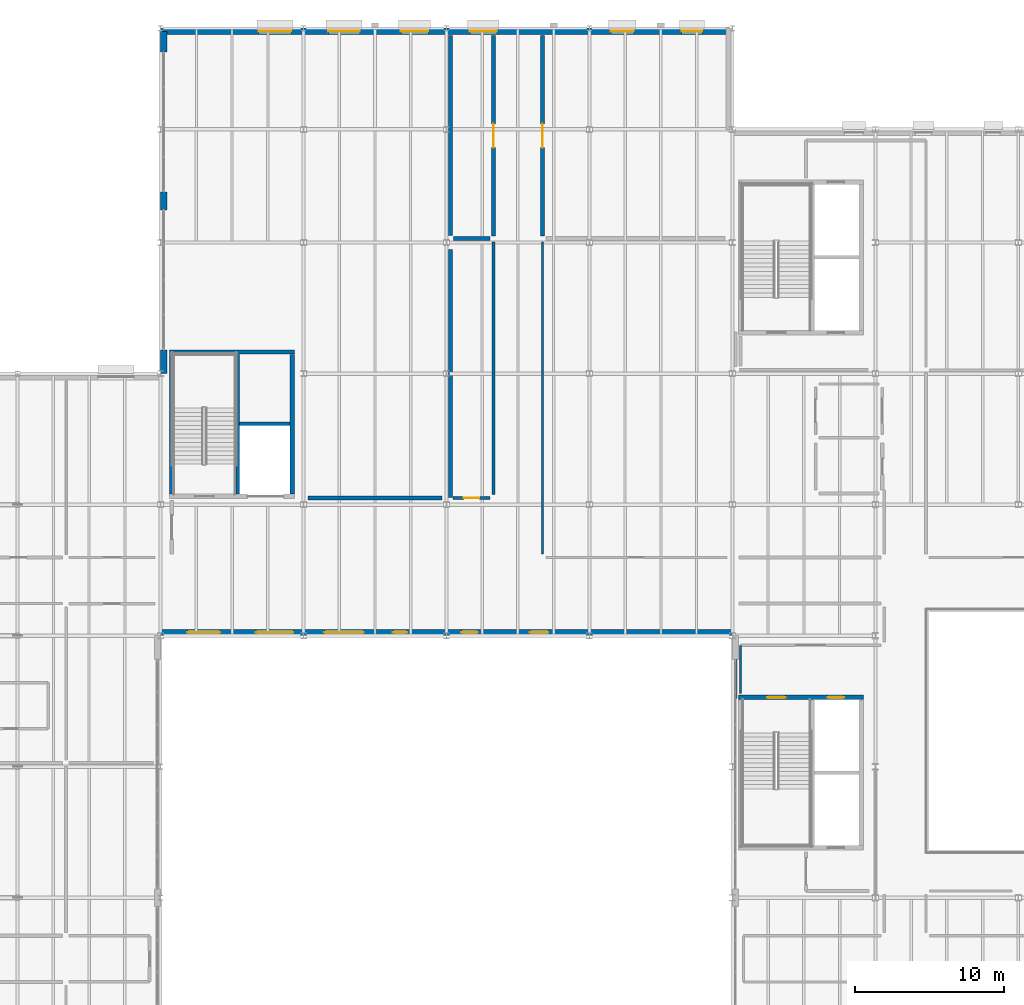
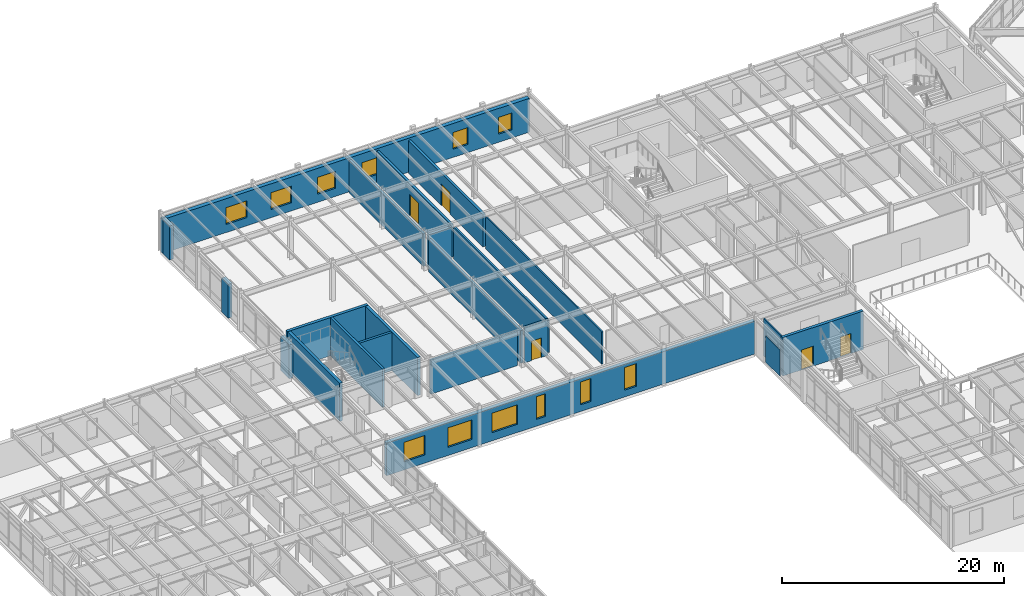
# One storey, part 73 of 88: 22 walls, 12 windows, 5 doors, 17 openings.
"""IFC4 building model written with IfcOpenShell, lengths in metres."""

from ifc_helpers import new_model, si_unit, direction, frame, frame_2d, origin, place, context, subcontext, project, spatial, rectangle, extrude, material, layer, layer_set, type_object, element, fill, save


model = new_model("IFC4")

# Units and contexts
model_context = context("Model", 3, precision=1e-05, world=origin(), true_north=direction((0.0, 1.0)))
body_context = subcontext(model_context, "Body", "Model", "MODEL_VIEW")
ifc_project = project(units=[si_unit("LENGTHUNIT", "METRE"), si_unit("AREAUNIT", "SQUARE_METRE"), si_unit("VOLUMEUNIT", "CUBIC_METRE"), si_unit("PLANEANGLEUNIT", "RADIAN"), si_unit("MASSUNIT", "GRAM", prefix="KILO")], contexts=[model_context])

# Site, building, storey
site_placement = place(None, origin())
site = spatial("IfcSite", under=ifc_project, at=site_placement, CompositionType="ELEMENT")
building_placement = place(site_placement, origin())
building = spatial("IfcBuilding", under=site, at=building_placement, Name="Sarnbrook Museum", CompositionType="ELEMENT")
storey_placement = place(building_placement, frame((0.0, 0.0, 10.10009765625)))
storey = spatial("IfcBuildingStorey", under=building, at=storey_placement, Name="L02", CompositionType="ELEMENT", Elevation=10.10009765625)

# Wall, openings, doors
ifc_material_1 = material(Name="Concrete N50 (AS 3600, f'c = 50 MPa)", Category="concrete")
ifc_layer_1 = layer(ifc_material_1, 0.300048828125)
ifc_layer_set_1 = layer_set([ifc_layer_1], Name="Concrete N50 (AS 3600, f'c = 50 MPa)")
wall_type_1 = type_object("IfcWallType", Name="CoreWall_CWRC", PredefinedType="SHEAR", material=ifc_layer_set_1)
wall_1_placement = place(storey_placement, frame((89.60009765625, 70.25, 0.0), z_axis=(0.0, 0.0, 1.0), x_axis=(-1.0, 0.0, 0.0)))
wall_1 = element("IfcWall", 1, at=wall_1_placement, inside=storey, type_object=wall_type_1, Name="Core C3 Shear Wall N L02", PredefinedType="SHEAR", context=body_context, shape_type="SweptSolid", body=[
    extrude(rectangle(XDim=8.400146484375, YDim=0.300048828125, at=frame_2d((4.2001953125, 0.0))), origin(), (0.0, 0.0, 1.0), 4.244873046875),
])
opening_1_placement = place(wall_1_placement, frame((5.22509765625, 0.0, 0.0)))
opening_1 = element("IfcOpeningElement", 2, at=opening_1_placement, cuts=wall_1, Name="Opening D-ST-ST3-L02", PredefinedType="OPENING", context=body_context, shape_type="SweptSolid", body=[
    extrude(rectangle(XDim=1.25, YDim=2.199951171875, at=frame_2d((0.625, 1.10009765625))), frame((0.0, 0.16015625, 0.0), z_axis=(0.0, -1.0, 0.0), x_axis=(1.0, 0.0, 0.0)), (0.0, 0.0, 1.0), 0.320068359375),
])
opening_2_placement = place(wall_1_placement, frame((1.300048828125, 0.0, 0.0)))
opening_2 = element("IfcOpeningElement", 3, at=opening_2_placement, cuts=wall_1, Name="Opening LD-PL2-L02", PredefinedType="OPENING", context=body_context, shape_type="SweptSolid", body=[
    extrude(rectangle(XDim=1.10009765625, YDim=2.199951171875, at=frame_2d((0.550048828125, 1.10009765625))), frame((0.0, 0.16015625, 0.0), z_axis=(0.0, -1.0, 0.0), x_axis=(1.0, 0.0, 0.0)), (0.0, 0.0, 1.0), 0.320068359375),
])
ifc_material_2 = material(Name="Tasmanian Oak Acoustic Timber", Category="wood")
door_type_1 = type_object("IfcDoorType", Name="FireDoor_FD120", OperationType="NOTDEFINED", PredefinedType="DOOR", material=ifc_material_2)
door_1_placement = place(opening_1_placement, origin())
door_1 = element("IfcDoor", 4, at=door_1_placement, inside=storey, type_object=door_type_1, Name="Exit Stair ST3 Fire Door L02", OperationType="SINGLE_SWING_LEFT", OverallHeight=2.199951171875, OverallWidth=1.25, PredefinedType="DOOR", context=body_context, shape_type="SweptSolid", body=[
    extrude(rectangle(XDim=1.25, YDim=2.199951171875, at=frame_2d((0.625, 1.10009765625))), frame((0.0, 0.02490234375, 0.0), z_axis=(0.0, -1.0, 0.0), x_axis=(1.0, 0.0, 0.0)), (0.0, 0.0, 1.0), 0.050048828125),
])
fill(opening_1, door_1)
ifc_material_3 = material(Name="Brushed Stainless Steel Grade 316", Category="steel")
door_type_2 = type_object("IfcDoorType", Name="LiftDoor_Pax110", OperationType="DOUBLE_DOOR_SLIDING", PredefinedType="DOOR", material=ifc_material_3)
door_2_placement = place(opening_2_placement, origin())
door_2 = element("IfcDoor", 5, at=door_2_placement, inside=storey, type_object=door_type_2, Name="Lift Landing Sliding Door LD-PL2-L02", OperationType="DOUBLE_DOOR_SLIDING", OverallHeight=2.199951171875, OverallWidth=1.10009765625, PredefinedType="DOOR", context=body_context, shape_type="SweptSolid", body=[
    extrude(rectangle(XDim=1.10009765625, YDim=2.199951171875, at=frame_2d((0.550048828125, 1.10009765625))), frame((0.0, 0.02490234375, 0.0), z_axis=(0.0, -1.0, 0.0), x_axis=(1.0, 0.0, 0.0)), (0.0, 0.0, 1.0), 0.050048828125),
])
fill(opening_2, door_2)

# Walls
wall_2_placement = place(storey_placement, frame((51.39990234375, 93.449951171875, 0.0), z_axis=(0.0, 0.0, 1.0), x_axis=(-1.0, 0.0, 0.0)))
element("IfcWall", 6, at=wall_2_placement, inside=storey, type_object=wall_type_1, Name="Core C6 Shear Wall N L02", PredefinedType="SHEAR", context=body_context, shape_type="SweptSolid", body=[
    extrude(rectangle(XDim=8.39990234375, YDim=0.300048828125, at=frame_2d((4.199951171875, 0.0))), origin(), (0.0, 0.0, 1.0), 4.204833984375),
])
for number, where, z_axis, x_axis, name in (
    (7, (51.25, 83.909912109375, 0.0), (0.0, 0.0, 1.0), (0.0, 1.0, 0.0), "Core C6 Shear Wall E L02"),
    (8, (43.14990234375, 93.2900390625, 0.0), (0.0, 0.0, 1.0), (0.0, -1.0, 0.0), "Core C6 Shear Wall W L02"),
):
    element("IfcWall", number, at=place(storey_placement, frame(where, z_axis=z_axis, x_axis=x_axis)), inside=storey, type_object=wall_type_1, Name=name, PredefinedType="SHEAR", context=body_context, shape_type="SweptSolid", body=[
        extrude(rectangle(XDim=9.380126953125, YDim=0.300048828125, at=frame_2d((4.68994140625, 0.0))), origin(), (0.0, 0.0, 1.0), 4.204833984375),
    ])
ifc_material_4 = material(Name="Concrete N40 (AS 3600, f'c = 40 MPa)", Category="concrete")
ifc_layer_2 = layer(ifc_material_4, 0.260009765625)
ifc_layer_set_2 = layer_set([ifc_layer_2], Name="Concrete N40 (AS 3600, f'c = 40 MPa)")
wall_type_2 = type_object("IfcWallType", Name="FireWall_FW240", PredefinedType="SOLIDWALL", material=ifc_layer_set_2)
wall_3_placement = place(storey_placement, frame((61.315185546875, 83.64990234375, 0.0), z_axis=(0.0, 0.0, 1.0), x_axis=(-1.0, 0.0, 0.0)))
element("IfcWall", 9, at=wall_3_placement, inside=storey, type_object=wall_type_2, Name="Interior Partition Wall L02-0566", PredefinedType="SOLIDWALL", context=body_context, shape_type="SweptSolid", body=[
    extrude(rectangle(XDim=9.030517578125, YDim=0.260009765625, at=frame_2d((4.51513671875, 0.0))), origin(), (0.0, 0.0, 1.0), 3.722900390625),
])

# Wall, opening, door
wall_4_placement = place(storey_placement, frame((64.75, 114.699951171875, 0.0), z_axis=(0.0, 0.0, 1.0), x_axis=(0.0, -1.0, 0.0)))
wall_4 = element("IfcWall", 10, at=wall_4_placement, inside=storey, type_object=wall_type_2, Name="Interior Partition Wall L02-0569", PredefinedType="SOLIDWALL", context=body_context, shape_type="SweptSolid", body=[
    extrude(rectangle(XDim=13.449951171875, YDim=0.260009765625, at=frame_2d((6.72509765625, 0.0))), origin(), (0.0, 0.0, 1.0), 3.572998046875),
])
opening_3_placement = place(wall_4_placement, frame((5.925048828125, 0.0, 0.0)))
opening_3 = element("IfcOpeningElement", 11, at=opening_3_placement, cuts=wall_4, Name="Opening D-L02-165", PredefinedType="OPENING", context=body_context, shape_type="SweptSolid", body=[
    extrude(rectangle(XDim=1.60009765625, YDim=2.39990234375, at=frame_2d((0.800048828125, 1.199951171875))), frame((0.0, 0.14013671875, 0.0), z_axis=(0.0, -1.0, 0.0), x_axis=(1.0, 0.0, 0.0)), (0.0, 0.0, 1.0), 0.280029296875),
])
ifc_material_5 = material(Name="Patinated Architectural Bronze")
door_type_3 = type_object("IfcDoorType", Name="FireDoor_FD240", OperationType="NOTDEFINED", PredefinedType="DOOR", material=ifc_material_5)
door_3_placement = place(opening_3_placement, origin())
door_3 = element("IfcDoor", 12, at=door_3_placement, inside=storey, type_object=door_type_3, Name="Collection Archive Vault L02-27 Door D-L02-165", OperationType="DOUBLE_DOOR_SINGLE_SWING", OverallHeight=2.39990234375, OverallWidth=1.60009765625, PredefinedType="DOOR", context=body_context, shape_type="SweptSolid", body=[
    extrude(rectangle(XDim=1.60009765625, YDim=2.39990234375, at=frame_2d((0.800048828125, 1.199951171875))), frame((0.0, 0.02490234375, 0.0), z_axis=(0.0, -1.0, 0.0), x_axis=(1.0, 0.0, 0.0)), (0.0, 0.0, 1.0), 0.050048828125),
])
fill(opening_3, door_3)

wall_5_placement = place(storey_placement, frame((68.050048828125, 101.25, 0.0), z_axis=(0.0, 0.0, 1.0), x_axis=(0.0, 1.0, 0.0)))
wall_5 = element("IfcWall", 13, at=wall_5_placement, inside=storey, type_object=wall_type_2, Name="Interior Partition Wall L02-0572", PredefinedType="SOLIDWALL", context=body_context, shape_type="SweptSolid", body=[
    extrude(rectangle(XDim=13.449951171875, YDim=0.260009765625, at=frame_2d((6.72509765625, 0.0))), origin(), (0.0, 0.0, 1.0), 3.572998046875),
])
opening_4_placement = place(wall_5_placement, frame((5.925048828125, 0.0, 0.0)))
opening_4 = element("IfcOpeningElement", 14, at=opening_4_placement, cuts=wall_5, Name="Opening D-L02-167", PredefinedType="OPENING", context=body_context, shape_type="SweptSolid", body=[
    extrude(rectangle(XDim=1.60009765625, YDim=2.39990234375, at=frame_2d((0.800048828125, 1.199951171875))), frame((0.0, 0.14013671875, 0.0), z_axis=(0.0, -1.0, 0.0), x_axis=(1.0, 0.0, 0.0)), (0.0, 0.0, 1.0), 0.280029296875),
])
door_4_placement = place(opening_4_placement, frame((1.60009765625, 0.0, 0.0), z_axis=(0.0, 0.0, 1.0), x_axis=(-1.0, 0.0, 0.0)))
door_4 = element("IfcDoor", 15, at=door_4_placement, inside=storey, type_object=door_type_3, Name="Collection Archive Vault L02-29 Door D-L02-167", OperationType="DOUBLE_DOOR_SINGLE_SWING", OverallHeight=2.39990234375, OverallWidth=1.60009765625, PredefinedType="DOOR", context=body_context, shape_type="SweptSolid", body=[
    extrude(rectangle(XDim=1.60009765625, YDim=2.39990234375, at=frame_2d((0.800048828125, 1.199951171875))), frame((0.0, 0.02490234375, 0.0), z_axis=(0.0, -1.0, 0.0), x_axis=(1.0, 0.0, 0.0)), (0.0, 0.0, 1.0), 0.050048828125),
])
fill(opening_4, door_4)

# Walls
wall_6_placement = place(storey_placement, frame((61.860107421875, 100.320068359375, 0.0), z_axis=(0.0, 0.0, 1.0), x_axis=(0.0, -1.0, 0.0)))
element("IfcWall", 16, at=wall_6_placement, inside=storey, type_object=wall_type_2, Name="Interior Partition Wall L02-0585", PredefinedType="SOLIDWALL", context=body_context, shape_type="SweptSolid", body=[
    extrude(rectangle(XDim=16.64013671875, YDim=0.260009765625, at=frame_2d((8.320068359375, 0.0))), origin(), (0.0, 0.0, 1.0), 3.572998046875),
])
wall_7_placement = place(storey_placement, frame((61.860107421875, 114.699951171875, 0.0), z_axis=(0.0, 0.0, 1.0), x_axis=(0.0, -1.0, 0.0)))
element("IfcWall", 17, at=wall_7_placement, inside=storey, type_object=wall_type_2, Name="Interior Partition Wall L02-0586", PredefinedType="SOLIDWALL", context=body_context, shape_type="SweptSolid", body=[
    extrude(rectangle(XDim=13.419921875, YDim=0.260009765625, at=frame_2d((6.7099609375, 0.0))), origin(), (0.0, 0.0, 1.0), 3.572998046875),
])
wall_8_placement = place(storey_placement, frame((62.080078125, 101.06005859375, 0.0), z_axis=(0.0, 0.0, 1.0), x_axis=(1.0, 0.0, 0.0)))
element("IfcWall", 18, at=wall_8_placement, inside=storey, type_object=wall_type_2, Name="Interior Partition Wall L02-0587", PredefinedType="SOLIDWALL", context=body_context, shape_type="SweptSolid", body=[
    extrude(rectangle(XDim=2.43994140625, YDim=0.260009765625, at=frame_2d((1.219970703125, 0.0))), origin(), (0.0, 0.0, 1.0), 3.572998046875),
])
ifc_material_6 = material(Name="Fire-Rated Acoustic Gypsum Plasterboard")
ifc_layer_3 = layer(ifc_material_6, 0.1201171875)
ifc_layer_set_3 = layer_set([ifc_layer_3], Name="Fire-Rated Acoustic Gypsum Plasterboard")
wall_type_3 = type_object("IfcWallType", Name="PartWall_P120", PredefinedType="PARTITIONING", material=ifc_layer_set_3)
wall_9_placement = place(storey_placement, frame((81.02001953125, 70.199951171875, 0.0), z_axis=(0.0, 0.0, 1.0), x_axis=(0.0, 1.0, 0.0)))
element("IfcWall", 19, at=wall_9_placement, inside=storey, type_object=wall_type_3, Name="Interior Partition Wall L02-0496", PredefinedType="PARTITIONING", context=body_context, shape_type="SweptSolid", body=[
    extrude(rectangle(XDim=2.60009765625, YDim=0.1201171875, at=frame_2d((1.300048828125, 0.0))), origin(), (0.0, 0.0, 1.0), 2.89990234375),
])
ifc_layer_4 = layer(ifc_material_6, 0.135009765625)
ifc_layer_set_4 = layer_set([ifc_layer_4], Name="Fire-Rated Acoustic Gypsum Plasterboard")
wall_type_4 = type_object("IfcWallType", Name="PartWall_P135", PredefinedType="PARTITIONING", material=ifc_layer_set_4)
wall_10_placement = place(storey_placement, frame((81.35009765625, 73.739990234375, 0.0), z_axis=(0.0, 0.0, 1.0), x_axis=(0.0, -1.0, 0.0)))
element("IfcWall", 20, at=wall_10_placement, inside=storey, type_object=wall_type_4, Name="Interior Partition Wall L02-0495", PredefinedType="PARTITIONING", context=body_context, shape_type="SweptSolid", body=[
    extrude(rectangle(XDim=3.219970703125, YDim=0.135009765625, at=frame_2d((1.60986328125, 0.0))), origin(), (0.0, 0.0, 1.0), 4.1298828125),
])
ifc_layer_5 = layer(ifc_material_6, 0.14990234375)
ifc_layer_set_5 = layer_set([ifc_layer_5], Name="Fire-Rated Acoustic Gypsum Plasterboard")
wall_type_5 = type_object("IfcWallType", Name="PartWall_P150", PredefinedType="PARTITIONING", material=ifc_layer_set_5)
wall_11_placement = place(storey_placement, frame((68.050048828125, 79.8798828125, 0.0), z_axis=(0.0, 0.0, 1.0), x_axis=(0.0, 1.0, 0.0)))
element("IfcWall", 21, at=wall_11_placement, inside=storey, type_object=wall_type_5, Name="Interior Partition Wall L02-0571", PredefinedType="PARTITIONING", context=body_context, shape_type="SweptSolid", body=[
    extrude(rectangle(XDim=20.9501953125, YDim=0.14990234375, at=frame_2d((10.47509765625, 0.0))), origin(), (0.0, 0.0, 1.0), 3.572998046875),
])
ifc_layer_6 = layer(ifc_material_6, 0.195068359375)
ifc_layer_set_6 = layer_set([ifc_layer_6], Name="Fire-Rated Acoustic Gypsum Plasterboard")
wall_type_6 = type_object("IfcWallType", Name="PartWall_P195", PredefinedType="PARTITIONING", material=ifc_layer_set_6)
wall_12_placement = place(storey_placement, frame((64.75, 100.830078125, 0.0), z_axis=(0.0, 0.0, 1.0), x_axis=(0.0, -1.0, 0.0)))
element("IfcWall", 22, at=wall_12_placement, inside=storey, type_object=wall_type_6, Name="Interior Partition Wall L02-0568", PredefinedType="PARTITIONING", context=body_context, shape_type="SweptSolid", body=[
    extrude(rectangle(XDim=16.9501953125, YDim=0.195068359375, at=frame_2d((8.47509765625, 0.0))), origin(), (0.0, 0.0, 1.0), 3.572998046875),
])

# Wall, opening, door
ifc_layer_7 = layer(ifc_material_6, 0.2099609375)
ifc_layer_set_7 = layer_set([ifc_layer_7], Name="Fire-Rated Acoustic Gypsum Plasterboard")
wall_type_7 = type_object("IfcWallType", Name="PartWall_P210", PredefinedType="PARTITIONING", material=ifc_layer_set_7)
wall_13_placement = place(storey_placement, frame((64.52001953125, 83.64990234375, 0.0), z_axis=(0.0, 0.0, 1.0), x_axis=(-1.0, 0.0, 0.0)))
wall_13 = element("IfcWall", 23, at=wall_13_placement, inside=storey, type_object=wall_type_7, Name="Interior Partition Wall L02-0567", PredefinedType="PARTITIONING", context=body_context, shape_type="SweptSolid", body=[
    extrude(rectangle(XDim=2.469970703125, YDim=0.2099609375, at=frame_2d((1.23486328125, 0.0))), origin(), (0.0, 0.0, 1.0), 3.923828125),
])
opening_5_placement = place(wall_13_placement, frame((0.7099609375, 0.0, 0.0)))
opening_5 = element("IfcOpeningElement", 24, at=opening_5_placement, cuts=wall_13, Name="Opening D-L02-164", PredefinedType="OPENING", context=body_context, shape_type="SweptSolid", body=[
    extrude(rectangle(XDim=1.050048828125, YDim=2.14990234375, at=frame_2d((0.52490234375, 1.074951171875))), frame((0.0, 0.114990234375, 0.0), z_axis=(0.0, -1.0, 0.0), x_axis=(1.0, 0.0, 0.0)), (0.0, 0.0, 1.0), 0.22998046875),
])
door_type_4 = type_object("IfcDoorType", Name="FireDoor_FD60", OperationType="NOTDEFINED", PredefinedType="DOOR", material=ifc_material_2)
door_5_placement = place(opening_5_placement, origin())
door_5 = element("IfcDoor", 25, at=door_5_placement, inside=storey, type_object=door_type_4, Name="Conservation Science Laboratory L02-26 Door D-L02-164", OperationType="SINGLE_SWING_RIGHT", OverallHeight=2.14990234375, OverallWidth=1.050048828125, PredefinedType="DOOR", context=body_context, shape_type="SweptSolid", body=[
    extrude(rectangle(XDim=1.050048828125, YDim=2.14990234375, at=frame_2d((0.52490234375, 1.074951171875))), frame((0.0, 0.02490234375, 0.0), z_axis=(0.0, -1.0, 0.0), x_axis=(1.0, 0.0, 0.0)), (0.0, 0.0, 1.0), 0.050048828125),
])
fill(opening_5, door_5)

# Walls
ifc_layer_8 = layer(ifc_material_4, 0.239990234375)
ifc_layer_set_8 = layer_set([ifc_layer_8], Name="Concrete N40 (AS 3600, f'c = 40 MPa)")
wall_type_8 = type_object("IfcWallType", Name="ShaftWall_SWRC", PredefinedType="SOLIDWALL", material=ifc_layer_set_8)
wall_14_placement = place(storey_placement, frame((47.570068359375, 83.909912109375, 0.0), z_axis=(0.0, 0.0, 1.0), x_axis=(0.0, 1.0, 0.0)))
element("IfcWall", 26, at=wall_14_placement, inside=storey, type_object=wall_type_8, Name="Stairwell ST6 Fire Shaft Wall L02", PredefinedType="SOLIDWALL", context=body_context, shape_type="SweptSolid", body=[
    extrude(rectangle(XDim=9.380126953125, YDim=0.239990234375, at=frame_2d((4.68994140625, 0.0))), origin(), (0.0, 0.0, 1.0), 4.204833984375),
])
wall_15_placement = place(storey_placement, frame((47.699951171875, 88.6201171875, 0.0), z_axis=(0.0, 0.0, 1.0), x_axis=(1.0, 0.0, 0.0)))
element("IfcWall", 27, at=wall_15_placement, inside=storey, type_object=wall_type_8, Name="Lift GL2 Shaft Rear Wall L02", PredefinedType="SOLIDWALL", context=body_context, shape_type="SweptSolid", body=[
    extrude(rectangle(XDim=3.39013671875, YDim=0.239990234375, at=frame_2d((1.695068359375, 0.0))), origin(), (0.0, 0.0, 1.0), 4.204833984375),
])

# Wall, openings, windows
ifc_material_7 = material(Name="Barrabool Sandstone Ashlar Cladding", Category="masonry")
ifc_layer_9 = layer(ifc_material_7, 0.419921875)
ifc_layer_set_9 = layer_set([ifc_layer_9], Name="Barrabool Sandstone Ashlar Cladding")
wall_type_9 = type_object("IfcWallType", Name="Wall_SandstoneExt420", PredefinedType="SOLIDWALL", material=ifc_layer_set_9)
wall_16_placement = place(storey_placement, frame((80.583984375, 114.989990234375, 0.0), z_axis=(0.0, 0.0, 1.0), x_axis=(-1.0, 0.0, 0.0)))
wall_16 = element("IfcWall", 28, at=wall_16_placement, inside=storey, type_object=wall_type_9, Name="Classical Sandstone Facade Wall L02-05", PredefinedType="SOLIDWALL", context=body_context, shape_type="SweptSolid", body=[
    extrude(rectangle(XDim=38.18408203125, YDim=0.419921875, at=frame_2d((19.092041015625, 0.0))), origin(), (0.0, 0.0, 1.0), 3.73779296875),
])
opening_6_placement = place(wall_16_placement, frame((1.800048828125, 0.0, 0.89990234375)))
opening_6 = element("IfcOpeningElement", 29, at=opening_6_placement, cuts=wall_16, Name="Opening WT-15", PredefinedType="OPENING", context=body_context, shape_type="SweptSolid", body=[
    extrude(rectangle(XDim=1.39990234375, YDim=1.85009765625, at=frame_2d((0.699951171875, 0.925048828125))), frame((0.0, 0.219970703125, 0.0), z_axis=(0.0, -1.0, 0.0), x_axis=(1.0, 0.0, 0.0)), (0.0, 0.0, 1.0), 0.43994140625),
])
opening_7_placement = place(wall_16_placement, frame((6.39990234375, 0.0, 0.89990234375)))
opening_7 = element("IfcOpeningElement", 30, at=opening_7_placement, cuts=wall_16, Name="Opening WT-16", PredefinedType="OPENING", context=body_context, shape_type="SweptSolid", body=[
    extrude(rectangle(XDim=1.550048828125, YDim=1.85009765625, at=frame_2d((0.77490234375, 0.925048828125))), frame((0.0, 0.219970703125, 0.0), z_axis=(0.0, -1.0, 0.0), x_axis=(1.0, 0.0, 0.0)), (0.0, 0.0, 1.0), 0.43994140625),
])
opening_8_placement = place(wall_16_placement, frame((15.60009765625, 0.0, 0.89990234375)))
opening_8 = element("IfcOpeningElement", 31, at=opening_8_placement, cuts=wall_16, Name="Opening WT-17", PredefinedType="OPENING", context=body_context, shape_type="SweptSolid", body=[
    extrude(rectangle(XDim=1.820068359375, YDim=1.85009765625, at=frame_2d((0.91015625, 0.925048828125))), frame((0.0, 0.219970703125, 0.0), z_axis=(0.0, -1.0, 0.0), x_axis=(1.0, 0.0, 0.0)), (0.0, 0.0, 1.0), 0.43994140625),
])
opening_9_placement = place(wall_16_placement, frame((20.199951171875, 0.0, 0.89990234375)))
opening_9 = element("IfcOpeningElement", 32, at=opening_9_placement, cuts=wall_16, Name="Opening WT-18", PredefinedType="OPENING", context=body_context, shape_type="SweptSolid", body=[
    extrude(rectangle(XDim=1.85009765625, YDim=1.85009765625, at=frame_2d((0.925048828125, 0.925048828125))), frame((0.0, 0.219970703125, 0.0), z_axis=(0.0, -1.0, 0.0), x_axis=(1.0, 0.0, 0.0)), (0.0, 0.0, 1.0), 0.43994140625),
])
opening_10_placement = place(wall_16_placement, frame((24.800048828125, 0.0, 0.89990234375)))
opening_10 = element("IfcOpeningElement", 33, at=opening_10_placement, cuts=wall_16, Name="Opening WT-19", PredefinedType="OPENING", context=body_context, shape_type="SweptSolid", body=[
    extrude(rectangle(XDim=2.1201171875, YDim=1.85009765625, at=frame_2d((1.06005859375, 0.925048828125))), frame((0.0, 0.219970703125, 0.0), z_axis=(0.0, -1.0, 0.0), x_axis=(1.0, 0.0, 0.0)), (0.0, 0.0, 1.0), 0.43994140625),
])
opening_11_placement = place(wall_16_placement, frame((29.39990234375, 0.0, 0.89990234375)))
opening_11 = element("IfcOpeningElement", 34, at=opening_11_placement, cuts=wall_16, Name="Opening WT-20", PredefinedType="OPENING", context=body_context, shape_type="SweptSolid", body=[
    extrude(rectangle(XDim=2.199951171875, YDim=1.85009765625, at=frame_2d((1.10009765625, 0.925048828125))), frame((0.0, 0.219970703125, 0.0), z_axis=(0.0, -1.0, 0.0), x_axis=(1.0, 0.0, 0.0)), (0.0, 0.0, 1.0), 0.43994140625),
])
ifc_material_8 = material(Name="Double-Glazed Low-Iron Laminated Safety Glass", Category="glass")
window_type_1 = type_object("IfcWindowType", Name="Window_Classical_WT15", PartitioningType="SINGLE_PANEL", PredefinedType="WINDOW", material=ifc_material_8)
window_1_placement = place(opening_6_placement, origin())
window_1 = element("IfcWindow", 35, at=window_1_placement, inside=storey, type_object=window_type_1, Name="Classical Bronze Casement Window WIN:L02:0059", OverallHeight=1.85009765625, OverallWidth=1.39990234375, PartitioningType="SINGLE_PANEL", PredefinedType="WINDOW", context=body_context, shape_type="SweptSolid", body=[
    extrude(rectangle(XDim=1.39990234375, YDim=1.85009765625, at=frame_2d((0.699951171875, 0.925048828125))), frame((0.0, 0.030029296875, 0.0), z_axis=(0.0, -1.0, 0.0), x_axis=(1.0, 0.0, 0.0)), (0.0, 0.0, 1.0), 0.06005859375),
])
fill(opening_6, window_1)
window_type_2 = type_object("IfcWindowType", Name="Window_Classical_WT16", PartitioningType="SINGLE_PANEL", PredefinedType="WINDOW", material=ifc_material_8)
window_2_placement = place(opening_7_placement, origin())
window_2 = element("IfcWindow", 36, at=window_2_placement, inside=storey, type_object=window_type_2, Name="Classical Bronze Casement Window WIN:L02:0060", OverallHeight=1.85009765625, OverallWidth=1.550048828125, PartitioningType="SINGLE_PANEL", PredefinedType="WINDOW", context=body_context, shape_type="SweptSolid", body=[
    extrude(rectangle(XDim=1.550048828125, YDim=1.85009765625, at=frame_2d((0.77490234375, 0.925048828125))), frame((0.0, 0.030029296875, 0.0), z_axis=(0.0, -1.0, 0.0), x_axis=(1.0, 0.0, 0.0)), (0.0, 0.0, 1.0), 0.06005859375),
])
fill(opening_7, window_2)
window_type_3 = type_object("IfcWindowType", Name="Window_Classical_WT17", PartitioningType="SINGLE_PANEL", PredefinedType="WINDOW", material=ifc_material_8)
window_3_placement = place(opening_8_placement, origin())
window_3 = element("IfcWindow", 37, at=window_3_placement, inside=storey, type_object=window_type_3, Name="Classical Bronze Casement Window WIN:L02:0061", OverallHeight=1.85009765625, OverallWidth=1.820068359375, PartitioningType="SINGLE_PANEL", PredefinedType="WINDOW", context=body_context, shape_type="SweptSolid", body=[
    extrude(rectangle(XDim=1.820068359375, YDim=1.85009765625, at=frame_2d((0.91015625, 0.925048828125))), frame((0.0, 0.030029296875, 0.0), z_axis=(0.0, -1.0, 0.0), x_axis=(1.0, 0.0, 0.0)), (0.0, 0.0, 1.0), 0.06005859375),
])
fill(opening_8, window_3)
window_type_4 = type_object("IfcWindowType", Name="Window_Classical_WT18", PartitioningType="SINGLE_PANEL", PredefinedType="WINDOW", material=ifc_material_8)
window_4_placement = place(opening_9_placement, origin())
window_4 = element("IfcWindow", 38, at=window_4_placement, inside=storey, type_object=window_type_4, Name="Classical Bronze Casement Window WIN:L02:0062", OverallHeight=1.85009765625, OverallWidth=1.85009765625, PartitioningType="SINGLE_PANEL", PredefinedType="WINDOW", context=body_context, shape_type="SweptSolid", body=[
    extrude(rectangle(XDim=1.85009765625, YDim=1.85009765625, at=frame_2d((0.925048828125, 0.925048828125))), frame((0.0, 0.030029296875, 0.0), z_axis=(0.0, -1.0, 0.0), x_axis=(1.0, 0.0, 0.0)), (0.0, 0.0, 1.0), 0.06005859375),
])
fill(opening_9, window_4)
window_type_5 = type_object("IfcWindowType", Name="Window_Classical_WT19", PartitioningType="SINGLE_PANEL", PredefinedType="WINDOW", material=ifc_material_8)
window_5_placement = place(opening_10_placement, origin())
window_5 = element("IfcWindow", 39, at=window_5_placement, inside=storey, type_object=window_type_5, Name="Classical Bronze Casement Window WIN:L02:0063", OverallHeight=1.85009765625, OverallWidth=2.1201171875, PartitioningType="SINGLE_PANEL", PredefinedType="WINDOW", context=body_context, shape_type="SweptSolid", body=[
    extrude(rectangle(XDim=2.1201171875, YDim=1.85009765625, at=frame_2d((1.06005859375, 0.925048828125))), frame((0.0, 0.030029296875, 0.0), z_axis=(0.0, -1.0, 0.0), x_axis=(1.0, 0.0, 0.0)), (0.0, 0.0, 1.0), 0.06005859375),
])
fill(opening_10, window_5)
window_type_6 = type_object("IfcWindowType", Name="Window_Classical_WT20", PartitioningType="SINGLE_PANEL", PredefinedType="WINDOW", material=ifc_material_8)
window_6_placement = place(opening_11_placement, origin())
window_6 = element("IfcWindow", 40, at=window_6_placement, inside=storey, type_object=window_type_6, Name="Classical Bronze Casement Window WIN:L02:0064", OverallHeight=1.85009765625, OverallWidth=2.199951171875, PartitioningType="SINGLE_PANEL", PredefinedType="WINDOW", context=body_context, shape_type="SweptSolid", body=[
    extrude(rectangle(XDim=2.199951171875, YDim=1.85009765625, at=frame_2d((1.10009765625, 0.925048828125))), frame((0.0, 0.030029296875, 0.0), z_axis=(0.0, -1.0, 0.0), x_axis=(1.0, 0.0, 0.0)), (0.0, 0.0, 1.0), 0.06005859375),
])
fill(opening_11, window_6)

# Walls
wall_17_placement = place(storey_placement, frame((42.610107421875, 114.98388671875, 0.0), z_axis=(0.0, 0.0, 1.0), x_axis=(0.0, -1.0, 0.0)))
element("IfcWall", 41, at=wall_17_placement, inside=storey, type_object=wall_type_9, Name="Classical Sandstone Facade Pier L02-6.1", PredefinedType="SOLIDWALL", context=body_context, shape_type="SweptSolid", body=[
    extrude(rectangle(XDim=1.3837890625, YDim=0.419921875, at=frame_2d((0.69189453125, 0.0))), origin(), (0.0, 0.0, 1.0), 3.73779296875),
])
wall_18_placement = place(storey_placement, frame((42.610107421875, 104.199951171875, 0.0), z_axis=(0.0, 0.0, 1.0), x_axis=(0.0, -1.0, 0.0)))
element("IfcWall", 42, at=wall_18_placement, inside=storey, type_object=wall_type_9, Name="Classical Sandstone Facade Pier L02-6.2", PredefinedType="SOLIDWALL", context=body_context, shape_type="SweptSolid", body=[
    extrude(rectangle(XDim=1.199951171875, YDim=0.419921875, at=frame_2d((0.60009765625, 0.0))), origin(), (0.0, 0.0, 1.0), 3.73779296875),
])
wall_19_placement = place(storey_placement, frame((42.610107421875, 93.60009765625, 0.0), z_axis=(0.0, 0.0, 1.0), x_axis=(0.0, -1.0, 0.0)))
element("IfcWall", 43, at=wall_19_placement, inside=storey, type_object=wall_type_9, Name="Classical Sandstone Facade Pier L02-6.3", PredefinedType="SOLIDWALL", context=body_context, shape_type="SweptSolid", body=[
    extrude(rectangle(XDim=1.60009765625, YDim=0.419921875, at=frame_2d((0.800048828125, 0.0))), origin(), (0.0, 0.0, 1.0), 3.73779296875),
])

# Wall, openings, windows
wall_20_placement = place(storey_placement, frame((42.39990234375, 74.610107421875, 0.0), z_axis=(0.0, 0.0, 1.0), x_axis=(1.0, 0.0, 0.0)))
wall_20 = element("IfcWall", 44, at=wall_20_placement, inside=storey, type_object=wall_type_9, Name="Classical Sandstone Facade Wall L02-13", PredefinedType="SOLIDWALL", context=body_context, shape_type="SweptSolid", body=[
    extrude(rectangle(XDim=38.400146484375, YDim=0.419921875, at=frame_2d((19.2001953125, 0.0))), origin(), (0.0, 0.0, 1.0), 3.587890625),
])
opening_12_placement = place(wall_20_placement, frame((1.800048828125, 0.0, 0.89990234375)))
opening_12 = element("IfcOpeningElement", 45, at=opening_12_placement, cuts=wall_20, Name="Opening WT-31", PredefinedType="OPENING", context=body_context, shape_type="SweptSolid", body=[
    extrude(rectangle(XDim=2.199951171875, YDim=2.14990234375, at=frame_2d((1.10009765625, 1.074951171875))), frame((0.0, 0.219970703125, 0.0), z_axis=(0.0, -1.0, 0.0), x_axis=(1.0, 0.0, 0.0)), (0.0, 0.0, 1.0), 0.43994140625),
])
opening_13_placement = place(wall_20_placement, frame((6.39990234375, 0.0, 0.89990234375)))
opening_13 = element("IfcOpeningElement", 46, at=opening_13_placement, cuts=wall_20, Name="Opening WT-32", PredefinedType="OPENING", context=body_context, shape_type="SweptSolid", body=[
    extrude(rectangle(XDim=2.52001953125, YDim=2.14990234375, at=frame_2d((1.260009765625, 1.074951171875))), frame((0.0, 0.219970703125, 0.0), z_axis=(0.0, -1.0, 0.0), x_axis=(1.0, 0.0, 0.0)), (0.0, 0.0, 1.0), 0.43994140625),
])
opening_14_placement = place(wall_20_placement, frame((11.0, 0.0, 0.89990234375)))
opening_14 = element("IfcOpeningElement", 47, at=opening_14_placement, cuts=wall_20, Name="Opening WT-33", PredefinedType="OPENING", context=body_context, shape_type="SweptSolid", body=[
    extrude(rectangle(XDim=2.64990234375, YDim=2.14990234375, at=frame_2d((1.324951171875, 1.074951171875))), frame((0.0, 0.219970703125, 0.0), z_axis=(0.0, -1.0, 0.0), x_axis=(1.0, 0.0, 0.0)), (0.0, 0.0, 1.0), 0.43994140625),
])
opening_15_placement = place(wall_20_placement, frame((15.60009765625, 0.0, 0.75)))
opening_15 = element("IfcOpeningElement", 48, at=opening_15_placement, cuts=wall_20, Name="Opening WT-34", PredefinedType="OPENING", context=body_context, shape_type="SweptSolid", body=[
    extrude(rectangle(XDim=0.949951171875, YDim=2.5, at=frame_2d((0.47509765625, 1.25))), frame((0.0, 0.219970703125, 0.0), z_axis=(0.0, -1.0, 0.0), x_axis=(1.0, 0.0, 0.0)), (0.0, 0.0, 1.0), 0.43994140625),
])
opening_16_placement = place(wall_20_placement, frame((20.199951171875, 0.0, 0.75)))
opening_16 = element("IfcOpeningElement", 49, at=opening_16_placement, cuts=wall_20, Name="Opening WT-35", PredefinedType="OPENING", context=body_context, shape_type="SweptSolid", body=[
    extrude(rectangle(XDim=1.10009765625, YDim=2.5, at=frame_2d((0.550048828125, 1.25))), frame((0.0, 0.219970703125, 0.0), z_axis=(0.0, -1.0, 0.0), x_axis=(1.0, 0.0, 0.0)), (0.0, 0.0, 1.0), 0.43994140625),
])
opening_17_placement = place(wall_20_placement, frame((24.800048828125, 0.0, 0.75)))
opening_17 = element("IfcOpeningElement", 50, at=opening_17_placement, cuts=wall_20, Name="Opening WT-36", PredefinedType="OPENING", context=body_context, shape_type="SweptSolid", body=[
    extrude(rectangle(XDim=1.25, YDim=2.5, at=frame_2d((0.625, 1.25))), frame((0.0, 0.219970703125, 0.0), z_axis=(0.0, -1.0, 0.0), x_axis=(1.0, 0.0, 0.0)), (0.0, 0.0, 1.0), 0.43994140625),
])
window_type_7 = type_object("IfcWindowType", Name="Window_Classical_WT31", PartitioningType="SINGLE_PANEL", PredefinedType="WINDOW", material=ifc_material_8)
window_7_placement = place(opening_12_placement, origin())
window_7 = element("IfcWindow", 51, at=window_7_placement, inside=storey, type_object=window_type_7, Name="Classical Bronze Casement Window WIN:L02:0075", OverallHeight=2.14990234375, OverallWidth=2.199951171875, PartitioningType="SINGLE_PANEL", PredefinedType="WINDOW", context=body_context, shape_type="SweptSolid", body=[
    extrude(rectangle(XDim=2.199951171875, YDim=2.14990234375, at=frame_2d((1.10009765625, 1.074951171875))), frame((0.0, 0.030029296875, 0.0), z_axis=(0.0, -1.0, 0.0), x_axis=(1.0, 0.0, 0.0)), (0.0, 0.0, 1.0), 0.06005859375),
])
fill(opening_12, window_7)
window_type_8 = type_object("IfcWindowType", Name="Window_Classical_WT32", PartitioningType="SINGLE_PANEL", PredefinedType="WINDOW", material=ifc_material_8)
window_8_placement = place(opening_13_placement, origin())
window_8 = element("IfcWindow", 52, at=window_8_placement, inside=storey, type_object=window_type_8, Name="Classical Bronze Casement Window WIN:L02:0076", OverallHeight=2.14990234375, OverallWidth=2.52001953125, PartitioningType="SINGLE_PANEL", PredefinedType="WINDOW", context=body_context, shape_type="SweptSolid", body=[
    extrude(rectangle(XDim=2.52001953125, YDim=2.14990234375, at=frame_2d((1.260009765625, 1.074951171875))), frame((0.0, 0.030029296875, 0.0), z_axis=(0.0, -1.0, 0.0), x_axis=(1.0, 0.0, 0.0)), (0.0, 0.0, 1.0), 0.06005859375),
])
fill(opening_13, window_8)
window_type_9 = type_object("IfcWindowType", Name="Window_Classical_WT33", PartitioningType="SINGLE_PANEL", PredefinedType="WINDOW", material=ifc_material_8)
window_9_placement = place(opening_14_placement, origin())
window_9 = element("IfcWindow", 53, at=window_9_placement, inside=storey, type_object=window_type_9, Name="Classical Bronze Casement Window WIN:L02:0077", OverallHeight=2.14990234375, OverallWidth=2.64990234375, PartitioningType="SINGLE_PANEL", PredefinedType="WINDOW", context=body_context, shape_type="SweptSolid", body=[
    extrude(rectangle(XDim=2.64990234375, YDim=2.14990234375, at=frame_2d((1.324951171875, 1.074951171875))), frame((0.0, 0.030029296875, 0.0), z_axis=(0.0, -1.0, 0.0), x_axis=(1.0, 0.0, 0.0)), (0.0, 0.0, 1.0), 0.06005859375),
])
fill(opening_14, window_9)
window_type_10 = type_object("IfcWindowType", Name="Window_Classical_WT34", PartitioningType="SINGLE_PANEL", PredefinedType="WINDOW", material=ifc_material_8)
window_10_placement = place(opening_15_placement, origin())
window_10 = element("IfcWindow", 54, at=window_10_placement, inside=storey, type_object=window_type_10, Name="Classical Bronze Casement Window WIN:L02:0078", OverallHeight=2.5, OverallWidth=0.949951171875, PartitioningType="SINGLE_PANEL", PredefinedType="WINDOW", context=body_context, shape_type="SweptSolid", body=[
    extrude(rectangle(XDim=0.949951171875, YDim=2.5, at=frame_2d((0.47509765625, 1.25))), frame((0.0, 0.030029296875, 0.0), z_axis=(0.0, -1.0, 0.0), x_axis=(1.0, 0.0, 0.0)), (0.0, 0.0, 1.0), 0.06005859375),
])
fill(opening_15, window_10)
window_type_11 = type_object("IfcWindowType", Name="Window_Classical_WT35", PartitioningType="SINGLE_PANEL", PredefinedType="WINDOW", material=ifc_material_8)
window_11_placement = place(opening_16_placement, origin())
window_11 = element("IfcWindow", 55, at=window_11_placement, inside=storey, type_object=window_type_11, Name="Classical Bronze Casement Window WIN:L02:0079", OverallHeight=2.5, OverallWidth=1.10009765625, PartitioningType="SINGLE_PANEL", PredefinedType="WINDOW", context=body_context, shape_type="SweptSolid", body=[
    extrude(rectangle(XDim=1.10009765625, YDim=2.5, at=frame_2d((0.550048828125, 1.25))), frame((0.0, 0.030029296875, 0.0), z_axis=(0.0, -1.0, 0.0), x_axis=(1.0, 0.0, 0.0)), (0.0, 0.0, 1.0), 0.06005859375),
])
fill(opening_16, window_11)
window_type_12 = type_object("IfcWindowType", Name="Window_Classical_WT36", PartitioningType="SINGLE_PANEL", PredefinedType="WINDOW", material=ifc_material_8)
window_12_placement = place(opening_17_placement, origin())
window_12 = element("IfcWindow", 56, at=window_12_placement, inside=storey, type_object=window_type_12, Name="Classical Bronze Casement Window WIN:L02:0080", OverallHeight=2.5, OverallWidth=1.25, PartitioningType="SINGLE_PANEL", PredefinedType="WINDOW", context=body_context, shape_type="SweptSolid", body=[
    extrude(rectangle(XDim=1.25, YDim=2.5, at=frame_2d((0.625, 1.25))), frame((0.0, 0.030029296875, 0.0), z_axis=(0.0, -1.0, 0.0), x_axis=(1.0, 0.0, 0.0)), (0.0, 0.0, 1.0), 0.06005859375),
])
fill(opening_17, window_12)

save(model, "model.ifc")
